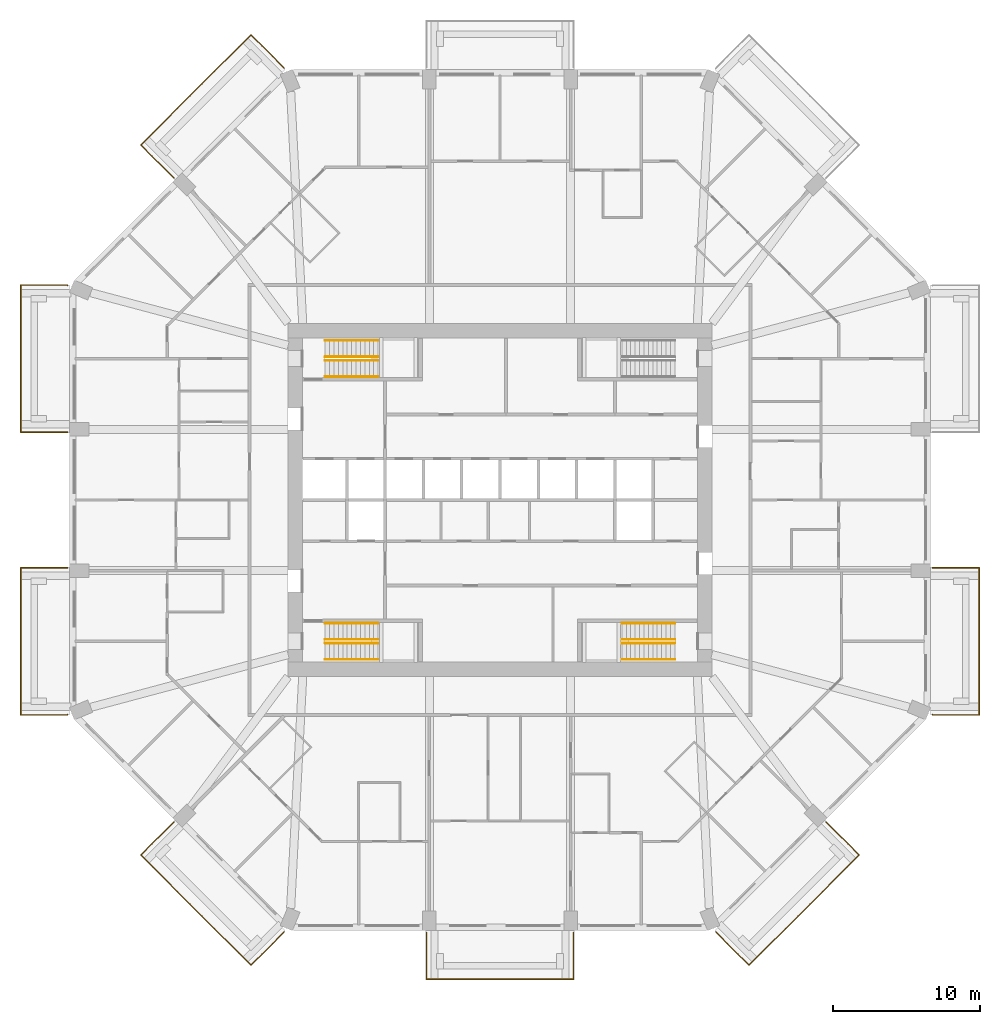
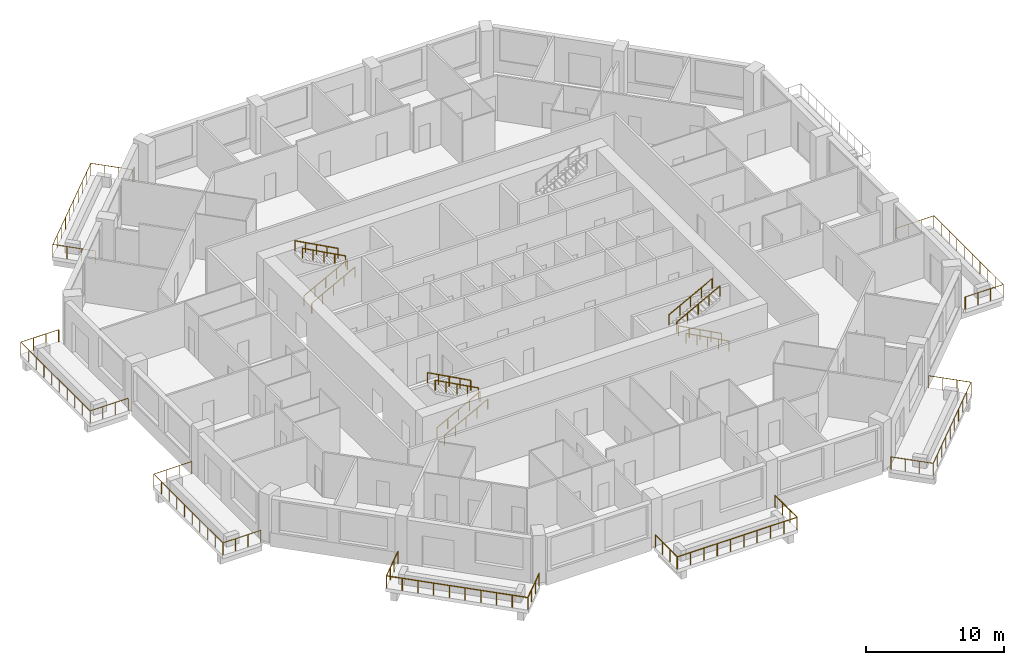
# One storey, part 12 of 13: 19 railings.
"""IFC4 building model written with IfcOpenShell, lengths in metres."""

from ifc_helpers import new_model, si_unit, direction, frame, origin, origin_2d, place, context, subcontext, project, spatial, circle, extrude, material, constituent, constituent_set, type_object, element, save


model = new_model("IFC4")

# Units and contexts
model_context = context("Model", 3, precision=1e-05, world=origin(), true_north=direction((0.0, 1.0)))
body_context = subcontext(model_context, "Body", "Model", "MODEL_VIEW")
ifc_project = project(units=[si_unit("LENGTHUNIT", "METRE"), si_unit("AREAUNIT", "SQUARE_METRE"), si_unit("VOLUMEUNIT", "CUBIC_METRE"), si_unit("PLANEANGLEUNIT", "RADIAN"), si_unit("MASSUNIT", "GRAM", prefix="KILO")], contexts=[model_context])

# Site, building, storey
site_placement = place(None, origin())
site = spatial("IfcSite", under=ifc_project, at=site_placement, CompositionType="ELEMENT")
building_placement = place(site_placement, origin())
building = spatial("IfcBuilding", under=site, at=building_placement, Name="Msitu Wima Residences", CompositionType="ELEMENT")
storey_placement = place(building_placement, frame((0.0, 0.0, 67.5)))
storey = spatial("IfcBuildingStorey", under=building, at=storey_placement, Name="L15", CompositionType="ELEMENT", Elevation=67.5)

# Railings
ifc_material_1 = material(Name="Steel S355", Category="steel")
ifc_constituent_1 = constituent(ifc_material_1, Name="Steel S355")
ifc_material_2 = material(Name="Weathering patina")
ifc_constituent_2 = constituent(ifc_material_2, Name="Weathering patina")
ifc_constituent_set_1 = constituent_set(constituents=[ifc_constituent_1, ifc_constituent_2], Name="Steel S355")
railing_type_1 = type_object("IfcRailingType", Name="Balcony guard GR1100", PredefinedType="GUARDRAIL", material=ifc_constituent_set_1)
railing_1_placement = place(storey_placement, frame((29.3798828125, -4.60009765625, 0.0)))
element("IfcRailing", 1, at=railing_1_placement, inside=storey, type_object=railing_type_1, Name="Balcony guard E0 L15", PredefinedType="GUARDRAIL", context=body_context, shape_type="SweptSolid", body=[
    extrude(circle(Radius=0.02392578125, at=origin_2d()), frame((0.0, 0.0, 1.076171875), z_axis=(1.0, 0.0, 0.0), x_axis=(0.0, 1.0, 0.0)), (0.0, 0.0, 1.0), 3.170166015625),
    extrude(circle(Radius=0.02392578125, at=origin_2d()), frame((3.170166015625, 0.0, 1.076171875), z_axis=(0.0, -1.0, 0.0), x_axis=(1.0, 0.0, 0.0)), (0.0, 0.0, 1.0), 10.0),
    extrude(circle(Radius=0.02392578125, at=origin_2d()), frame((3.170166015625, -10.0, 1.076171875), z_axis=(-1.0, 0.0, 0.0), x_axis=(0.0, -1.0, 0.0)), (0.0, 0.0, 1.0), 3.136474609375),
    extrude(circle(Radius=0.02392578125, at=origin_2d()), frame((0.03369140625, -10.0, 1.076171875), z_axis=(-0.92426142649, 0.38176015442, 0.0), x_axis=(-0.38176015442, -0.92426142649, 0.0)), (0.0, 0.0, 1.0), 0.036376953125),
    extrude(circle(Radius=0.02099609375, at=origin_2d()), origin(), (0.0, 0.0, 1.0), 1.052001953125),
    extrude(circle(Radius=0.02099609375, at=origin_2d()), frame((1.056640625, 0.0, 0.0)), (0.0, 0.0, 1.0), 1.052001953125),
    extrude(circle(Radius=0.02099609375, at=origin_2d()), frame((2.113525390625, 0.0, 0.0)), (0.0, 0.0, 1.0), 1.052001953125),
    extrude(circle(Radius=0.02099609375, at=origin_2d()), frame((3.170166015625, 0.0, 0.0)), (0.0, 0.0, 1.0), 1.052001953125),
    extrude(circle(Radius=0.02099609375, at=origin_2d()), frame((3.170166015625, -1.111083984375, 0.0)), (0.0, 0.0, 1.0), 1.052001953125),
    extrude(circle(Radius=0.02099609375, at=origin_2d()), frame((3.170166015625, -2.22216796875, 0.0)), (0.0, 0.0, 1.0), 1.052001953125),
    extrude(circle(Radius=0.02099609375, at=origin_2d()), frame((3.170166015625, -3.333251953125, 0.0)), (0.0, 0.0, 1.0), 1.052001953125),
    extrude(circle(Radius=0.02099609375, at=origin_2d()), frame((3.170166015625, -4.4443359375, 0.0)), (0.0, 0.0, 1.0), 1.052001953125),
    extrude(circle(Radius=0.02099609375, at=origin_2d()), frame((3.170166015625, -5.5556640625, 0.0)), (0.0, 0.0, 1.0), 1.052001953125),
    extrude(circle(Radius=0.02099609375, at=origin_2d()), frame((3.170166015625, -6.666748046875, 0.0)), (0.0, 0.0, 1.0), 1.052001953125),
    extrude(circle(Radius=0.02099609375, at=origin_2d()), frame((3.170166015625, -7.77783203125, 0.0)), (0.0, 0.0, 1.0), 1.052001953125),
    extrude(circle(Radius=0.02099609375, at=origin_2d()), frame((3.170166015625, -8.888916015625, 0.0)), (0.0, 0.0, 1.0), 1.052001953125),
    extrude(circle(Radius=0.02099609375, at=origin_2d()), frame((3.170166015625, -10.0, 0.0)), (0.0, 0.0, 1.0), 1.052001953125),
    extrude(circle(Radius=0.02099609375, at=origin_2d()), frame((2.124755859375, -10.0, 0.0)), (0.0, 0.0, 1.0), 1.052001953125),
    extrude(circle(Radius=0.02099609375, at=origin_2d()), frame((1.0791015625, -10.0, 0.0)), (0.0, 0.0, 1.0), 1.052001953125),
    extrude(circle(Radius=0.02099609375, at=origin_2d()), frame((0.03369140625, -10.0, 0.0)), (0.0, 0.0, 1.0), 1.052001953125),
    extrude(circle(Radius=0.02099609375, at=origin_2d()), frame((0.0, -9.986083984375, 0.0)), (0.0, 0.0, 1.0), 1.052001953125),
])
railing_2_placement = place(storey_placement, frame((-22.151611328125, 21.86865234375, 0.0)))
element("IfcRailing", 2, at=railing_2_placement, inside=storey, type_object=railing_type_1, Name="Balcony guard NW0 L15", PredefinedType="GUARDRAIL", context=body_context, shape_type="SweptSolid", body=[
    extrude(circle(Radius=0.02392578125, at=origin_2d()), frame((0.0, 0.0, 1.076171875), z_axis=(-0.707068272989, 0.707145287287, 0.0), x_axis=(-0.707145287287, -0.707068272989, 0.0)), (0.0, 0.0, 1.0), 3.170166015625),
    extrude(circle(Radius=0.02392578125, at=origin_2d()), frame((-2.241455078125, 2.24169921875, 1.076171875), z_axis=(0.707118316465, 0.70709524572, 0.0), x_axis=(-0.70709524572, 0.707118316465, 0.0)), (0.0, 0.0, 1.0), 10.582275390625),
    extrude(circle(Radius=0.02392578125, at=origin_2d()), frame((5.241455078125, 9.724365234375, 1.076171875), z_axis=(0.707106781187, -0.707106781187, 0.0), x_axis=(0.707106781187, 0.707106781187, 0.0)), (0.0, 0.0, 1.0), 3.136474609375),
    extrude(circle(Radius=0.02392578125, at=origin_2d()), frame((7.459228515625, 7.506591796875, 1.076171875), z_axis=(0.384136806859, -0.923276184907, 0.0), x_axis=(0.923276184907, 0.384136806859, 0.0)), (0.0, 0.0, 1.0), 0.0361328125),
    extrude(circle(Radius=0.02099609375, at=origin_2d()), origin(), (0.0, 0.0, 1.0), 1.052001953125),
    extrude(circle(Radius=0.02099609375, at=origin_2d()), frame((-0.7470703125, 0.747314453125, 0.0)), (0.0, 0.0, 1.0), 1.052001953125),
    extrude(circle(Radius=0.02099609375, at=origin_2d()), frame((-1.494384765625, 1.494384765625, 0.0)), (0.0, 0.0, 1.0), 1.052001953125),
    extrude(circle(Radius=0.02099609375, at=origin_2d()), frame((-2.241455078125, 2.24169921875, 0.0)), (0.0, 0.0, 1.0), 1.052001953125),
    extrude(circle(Radius=0.02099609375, at=origin_2d()), frame((-1.409912109375, 3.072998046875, 0.0)), (0.0, 0.0, 1.0), 1.052001953125),
    extrude(circle(Radius=0.02099609375, at=origin_2d()), frame((-0.57861328125, 3.904541015625, 0.0)), (0.0, 0.0, 1.0), 1.052001953125),
    extrude(circle(Radius=0.02099609375, at=origin_2d()), frame((0.2529296875, 4.73583984375, 0.0)), (0.0, 0.0, 1.0), 1.052001953125),
    extrude(circle(Radius=0.02099609375, at=origin_2d()), frame((1.084228515625, 5.5673828125, 0.0)), (0.0, 0.0, 1.0), 1.052001953125),
    extrude(circle(Radius=0.02099609375, at=origin_2d()), frame((1.915771484375, 6.398681640625, 0.0)), (0.0, 0.0, 1.0), 1.052001953125),
    extrude(circle(Radius=0.02099609375, at=origin_2d()), frame((2.7470703125, 7.230224609375, 0.0)), (0.0, 0.0, 1.0), 1.052001953125),
    extrude(circle(Radius=0.02099609375, at=origin_2d()), frame((3.57861328125, 8.0615234375, 0.0)), (0.0, 0.0, 1.0), 1.052001953125),
    extrude(circle(Radius=0.02099609375, at=origin_2d()), frame((4.409912109375, 8.89306640625, 0.0)), (0.0, 0.0, 1.0), 1.052001953125),
    extrude(circle(Radius=0.02099609375, at=origin_2d()), frame((5.241455078125, 9.724365234375, 0.0)), (0.0, 0.0, 1.0), 1.052001953125),
    extrude(circle(Radius=0.02099609375, at=origin_2d()), frame((5.980712890625, 8.985107421875, 0.0)), (0.0, 0.0, 1.0), 1.052001953125),
    extrude(circle(Radius=0.02099609375, at=origin_2d()), frame((6.719970703125, 8.245849609375, 0.0)), (0.0, 0.0, 1.0), 1.052001953125),
    extrude(circle(Radius=0.02099609375, at=origin_2d()), frame((7.459228515625, 7.506591796875, 0.0)), (0.0, 0.0, 1.0), 1.052001953125),
    extrude(circle(Radius=0.02099609375, at=origin_2d()), frame((7.47314453125, 7.47314453125, 0.0)), (0.0, 0.0, 1.0), 1.052001953125),
])
railing_3_placement = place(storey_placement, frame((-29.3798828125, 4.60009765625, 0.0)))
element("IfcRailing", 3, at=railing_3_placement, inside=storey, type_object=railing_type_1, Name="Balcony guard W0 L15", PredefinedType="GUARDRAIL", context=body_context, shape_type="SweptSolid", body=[
    extrude(circle(Radius=0.02392578125, at=origin_2d()), frame((0.0, 0.0, 1.076171875), z_axis=(-1.0, 0.0, 0.0), x_axis=(0.0, -1.0, 0.0)), (0.0, 0.0, 1.0), 3.170166015625),
    extrude(circle(Radius=0.02392578125, at=origin_2d()), frame((-3.170166015625, 0.0, 1.076171875), z_axis=(0.0, 1.0, 0.0), x_axis=(-1.0, 0.0, 0.0)), (0.0, 0.0, 1.0), 10.0),
    extrude(circle(Radius=0.02392578125, at=origin_2d()), frame((-3.170166015625, 10.0, 1.076171875), z_axis=(1.0, 0.0, 0.0), x_axis=(0.0, 1.0, 0.0)), (0.0, 0.0, 1.0), 3.136474609375),
    extrude(circle(Radius=0.02392578125, at=origin_2d()), frame((-0.03369140625, 10.0, 1.076171875), z_axis=(0.92426142649, -0.38176015442, 0.0), x_axis=(0.38176015442, 0.92426142649, 0.0)), (0.0, 0.0, 1.0), 0.036376953125),
    extrude(circle(Radius=0.02099609375, at=origin_2d()), origin(), (0.0, 0.0, 1.0), 1.052001953125),
    extrude(circle(Radius=0.02099609375, at=origin_2d()), frame((-1.056640625, 0.0, 0.0)), (0.0, 0.0, 1.0), 1.052001953125),
    extrude(circle(Radius=0.02099609375, at=origin_2d()), frame((-2.113525390625, 0.0, 0.0)), (0.0, 0.0, 1.0), 1.052001953125),
    extrude(circle(Radius=0.02099609375, at=origin_2d()), frame((-3.170166015625, 0.0, 0.0)), (0.0, 0.0, 1.0), 1.052001953125),
    extrude(circle(Radius=0.02099609375, at=origin_2d()), frame((-3.170166015625, 1.111083984375, 0.0)), (0.0, 0.0, 1.0), 1.052001953125),
    extrude(circle(Radius=0.02099609375, at=origin_2d()), frame((-3.170166015625, 2.22216796875, 0.0)), (0.0, 0.0, 1.0), 1.052001953125),
    extrude(circle(Radius=0.02099609375, at=origin_2d()), frame((-3.170166015625, 3.333251953125, 0.0)), (0.0, 0.0, 1.0), 1.052001953125),
    extrude(circle(Radius=0.02099609375, at=origin_2d()), frame((-3.170166015625, 4.4443359375, 0.0)), (0.0, 0.0, 1.0), 1.052001953125),
    extrude(circle(Radius=0.02099609375, at=origin_2d()), frame((-3.170166015625, 5.5556640625, 0.0)), (0.0, 0.0, 1.0), 1.052001953125),
    extrude(circle(Radius=0.02099609375, at=origin_2d()), frame((-3.170166015625, 6.666748046875, 0.0)), (0.0, 0.0, 1.0), 1.052001953125),
    extrude(circle(Radius=0.02099609375, at=origin_2d()), frame((-3.170166015625, 7.77783203125, 0.0)), (0.0, 0.0, 1.0), 1.052001953125),
    extrude(circle(Radius=0.02099609375, at=origin_2d()), frame((-3.170166015625, 8.888916015625, 0.0)), (0.0, 0.0, 1.0), 1.052001953125),
    extrude(circle(Radius=0.02099609375, at=origin_2d()), frame((-3.170166015625, 10.0, 0.0)), (0.0, 0.0, 1.0), 1.052001953125),
    extrude(circle(Radius=0.02099609375, at=origin_2d()), frame((-2.124755859375, 10.0, 0.0)), (0.0, 0.0, 1.0), 1.052001953125),
    extrude(circle(Radius=0.02099609375, at=origin_2d()), frame((-1.0791015625, 10.0, 0.0)), (0.0, 0.0, 1.0), 1.052001953125),
    extrude(circle(Radius=0.02099609375, at=origin_2d()), frame((-0.03369140625, 10.0, 0.0)), (0.0, 0.0, 1.0), 1.052001953125),
    extrude(circle(Radius=0.02099609375, at=origin_2d()), frame((0.0, 9.986083984375, 0.0)), (0.0, 0.0, 1.0), 1.052001953125),
])
railing_4_placement = place(storey_placement, frame((-29.3798828125, -14.586181640625, 0.0)))
element("IfcRailing", 4, at=railing_4_placement, inside=storey, type_object=railing_type_1, Name="Balcony guard W2 L15", PredefinedType="GUARDRAIL", context=body_context, shape_type="SweptSolid", body=[
    extrude(circle(Radius=0.02392578125, at=origin_2d()), frame((0.0, 0.0, 1.076171875), z_axis=(-0.92426142649, -0.38176015442, 0.0), x_axis=(0.38176015442, -0.92426142649, 0.0)), (0.0, 0.0, 1.0), 0.036376953125),
    extrude(circle(Radius=0.02392578125, at=origin_2d()), frame((-0.03369140625, -0.013916015625, 1.076171875), z_axis=(-1.0, 0.0, 0.0), x_axis=(0.0, -1.0, 0.0)), (0.0, 0.0, 1.0), 3.136474609375),
    extrude(circle(Radius=0.02392578125, at=origin_2d()), frame((-3.170166015625, -0.013916015625, 1.076171875), z_axis=(0.0, 1.0, 0.0), x_axis=(-1.0, 0.0, 0.0)), (0.0, 0.0, 1.0), 10.0),
    extrude(circle(Radius=0.02392578125, at=origin_2d()), frame((-3.170166015625, 9.986083984375, 1.076171875), z_axis=(1.0, 0.0, 0.0), x_axis=(0.0, 1.0, 0.0)), (0.0, 0.0, 1.0), 3.170166015625),
    extrude(circle(Radius=0.02099609375, at=origin_2d()), origin(), (0.0, 0.0, 1.0), 1.052001953125),
    extrude(circle(Radius=0.02099609375, at=origin_2d()), frame((-0.03369140625, -0.013916015625, 0.0)), (0.0, 0.0, 1.0), 1.052001953125),
    extrude(circle(Radius=0.02099609375, at=origin_2d()), frame((-1.0791015625, -0.013916015625, 0.0)), (0.0, 0.0, 1.0), 1.052001953125),
    extrude(circle(Radius=0.02099609375, at=origin_2d()), frame((-2.124755859375, -0.013916015625, 0.0)), (0.0, 0.0, 1.0), 1.052001953125),
    extrude(circle(Radius=0.02099609375, at=origin_2d()), frame((-3.170166015625, -0.013916015625, 0.0)), (0.0, 0.0, 1.0), 1.052001953125),
    extrude(circle(Radius=0.02099609375, at=origin_2d()), frame((-3.170166015625, 1.09716796875, 0.0)), (0.0, 0.0, 1.0), 1.052001953125),
    extrude(circle(Radius=0.02099609375, at=origin_2d()), frame((-3.170166015625, 2.208251953125, 0.0)), (0.0, 0.0, 1.0), 1.052001953125),
    extrude(circle(Radius=0.02099609375, at=origin_2d()), frame((-3.170166015625, 3.3193359375, 0.0)), (0.0, 0.0, 1.0), 1.052001953125),
    extrude(circle(Radius=0.02099609375, at=origin_2d()), frame((-3.170166015625, 4.430419921875, 0.0)), (0.0, 0.0, 1.0), 1.052001953125),
    extrude(circle(Radius=0.02099609375, at=origin_2d()), frame((-3.170166015625, 5.541748046875, 0.0)), (0.0, 0.0, 1.0), 1.052001953125),
    extrude(circle(Radius=0.02099609375, at=origin_2d()), frame((-3.170166015625, 6.65283203125, 0.0)), (0.0, 0.0, 1.0), 1.052001953125),
    extrude(circle(Radius=0.02099609375, at=origin_2d()), frame((-3.170166015625, 7.763916015625, 0.0)), (0.0, 0.0, 1.0), 1.052001953125),
    extrude(circle(Radius=0.02099609375, at=origin_2d()), frame((-3.170166015625, 8.875, 0.0)), (0.0, 0.0, 1.0), 1.052001953125),
    extrude(circle(Radius=0.02099609375, at=origin_2d()), frame((-3.170166015625, 9.986083984375, 0.0)), (0.0, 0.0, 1.0), 1.052001953125),
    extrude(circle(Radius=0.02099609375, at=origin_2d()), frame((-2.113525390625, 9.986083984375, 0.0)), (0.0, 0.0, 1.0), 1.052001953125),
    extrude(circle(Radius=0.02099609375, at=origin_2d()), frame((-1.056640625, 9.986083984375, 0.0)), (0.0, 0.0, 1.0), 1.052001953125),
    extrude(circle(Radius=0.02099609375, at=origin_2d()), frame((0.0, 9.986083984375, 0.0)), (0.0, 0.0, 1.0), 1.052001953125),
])
railing_5_placement = place(storey_placement, frame((-14.678466796875, -29.341796875, 0.0)))
element("IfcRailing", 5, at=railing_5_placement, inside=storey, type_object=railing_type_1, Name="Balcony guard SW1 L15", PredefinedType="GUARDRAIL", context=body_context, shape_type="SweptSolid", body=[
    extrude(circle(Radius=0.02392578125, at=origin_2d()), frame((0.0, 0.0, 1.076171875), z_axis=(-0.384136806859, -0.923276184907, 0.0), x_axis=(0.923276184907, -0.384136806859, 0.0)), (0.0, 0.0, 1.0), 0.0361328125),
    extrude(circle(Radius=0.02392578125, at=origin_2d()), frame((-0.013916015625, -0.033447265625, 1.076171875), z_axis=(-0.707106781187, -0.707106781187, 0.0), x_axis=(0.707106781187, -0.707106781187, 0.0)), (0.0, 0.0, 1.0), 3.136474609375),
    extrude(circle(Radius=0.02392578125, at=origin_2d()), frame((-2.231689453125, -2.251220703125, 1.076171875), z_axis=(-0.707118316465, 0.70709524572, 0.0), x_axis=(-0.70709524572, -0.707118316465, 0.0)), (0.0, 0.0, 1.0), 10.582275390625),
    extrude(circle(Radius=0.02392578125, at=origin_2d()), frame((-9.714599609375, 5.2314453125, 1.076171875), z_axis=(0.707068272989, 0.707145287287, 0.0), x_axis=(-0.707145287287, 0.707068272989, 0.0)), (0.0, 0.0, 1.0), 3.170166015625),
    extrude(circle(Radius=0.02099609375, at=origin_2d()), origin(), (0.0, 0.0, 1.0), 1.052001953125),
    extrude(circle(Radius=0.02099609375, at=origin_2d()), frame((-0.013916015625, -0.033447265625, 0.0)), (0.0, 0.0, 1.0), 1.052001953125),
    extrude(circle(Radius=0.02099609375, at=origin_2d()), frame((-0.753173828125, -0.772705078125, 0.0)), (0.0, 0.0, 1.0), 1.052001953125),
    extrude(circle(Radius=0.02099609375, at=origin_2d()), frame((-1.492431640625, -1.511962890625, 0.0)), (0.0, 0.0, 1.0), 1.052001953125),
    extrude(circle(Radius=0.02099609375, at=origin_2d()), frame((-2.231689453125, -2.251220703125, 0.0)), (0.0, 0.0, 1.0), 1.052001953125),
    extrude(circle(Radius=0.02099609375, at=origin_2d()), frame((-3.063232421875, -1.419921875, 0.0)), (0.0, 0.0, 1.0), 1.052001953125),
    extrude(circle(Radius=0.02099609375, at=origin_2d()), frame((-3.89453125, -0.58837890625, 0.0)), (0.0, 0.0, 1.0), 1.052001953125),
    extrude(circle(Radius=0.02099609375, at=origin_2d()), frame((-4.72607421875, 0.242919921875, 0.0)), (0.0, 0.0, 1.0), 1.052001953125),
    extrude(circle(Radius=0.02099609375, at=origin_2d()), frame((-5.557373046875, 1.074462890625, 0.0)), (0.0, 0.0, 1.0), 1.052001953125),
    extrude(circle(Radius=0.02099609375, at=origin_2d()), frame((-6.388916015625, 1.90576171875, 0.0)), (0.0, 0.0, 1.0), 1.052001953125),
    extrude(circle(Radius=0.02099609375, at=origin_2d()), frame((-7.22021484375, 2.7373046875, 0.0)), (0.0, 0.0, 1.0), 1.052001953125),
    extrude(circle(Radius=0.02099609375, at=origin_2d()), frame((-8.0517578125, 3.568603515625, 0.0)), (0.0, 0.0, 1.0), 1.052001953125),
    extrude(circle(Radius=0.02099609375, at=origin_2d()), frame((-8.883056640625, 4.400146484375, 0.0)), (0.0, 0.0, 1.0), 1.052001953125),
    extrude(circle(Radius=0.02099609375, at=origin_2d()), frame((-9.714599609375, 5.2314453125, 0.0)), (0.0, 0.0, 1.0), 1.052001953125),
    extrude(circle(Radius=0.02099609375, at=origin_2d()), frame((-8.967529296875, 5.978759765625, 0.0)), (0.0, 0.0, 1.0), 1.052001953125),
    extrude(circle(Radius=0.02099609375, at=origin_2d()), frame((-8.22021484375, 6.725830078125, 0.0)), (0.0, 0.0, 1.0), 1.052001953125),
    extrude(circle(Radius=0.02099609375, at=origin_2d()), frame((-7.47314453125, 7.47314453125, 0.0)), (0.0, 0.0, 1.0), 1.052001953125),
])
railing_6_placement = place(storey_placement, frame((5.0, -29.3798828125, 0.0)))
element("IfcRailing", 6, at=railing_6_placement, inside=storey, type_object=railing_type_1, Name="Balcony guard S1 L15", PredefinedType="GUARDRAIL", context=body_context, shape_type="SweptSolid", body=[
    extrude(circle(Radius=0.02392578125, at=origin_2d()), frame((0.0, 0.0, 1.076171875), z_axis=(0.0, -1.0, 0.0), x_axis=(1.0, 0.0, 0.0)), (0.0, 0.0, 1.0), 3.170166015625),
    extrude(circle(Radius=0.02392578125, at=origin_2d()), frame((0.0, -3.170166015625, 1.076171875), z_axis=(-1.0, 0.0, 0.0), x_axis=(0.0, -1.0, 0.0)), (0.0, 0.0, 1.0), 10.0),
    extrude(circle(Radius=0.02392578125, at=origin_2d()), frame((-10.0, -3.170166015625, 1.076171875), z_axis=(0.0, 1.0, 0.0), x_axis=(-1.0, 0.0, 0.0)), (0.0, 0.0, 1.0), 3.170166015625),
    extrude(circle(Radius=0.02099609375, at=origin_2d()), origin(), (0.0, 0.0, 1.0), 1.052001953125),
    extrude(circle(Radius=0.02099609375, at=origin_2d()), frame((0.0, -1.056640625, 0.0)), (0.0, 0.0, 1.0), 1.052001953125),
    extrude(circle(Radius=0.02099609375, at=origin_2d()), frame((0.0, -2.113525390625, 0.0)), (0.0, 0.0, 1.0), 1.052001953125),
    extrude(circle(Radius=0.02099609375, at=origin_2d()), frame((0.0, -3.170166015625, 0.0)), (0.0, 0.0, 1.0), 1.052001953125),
    extrude(circle(Radius=0.02099609375, at=origin_2d()), frame((-1.111083984375, -3.170166015625, 0.0)), (0.0, 0.0, 1.0), 1.052001953125),
    extrude(circle(Radius=0.02099609375, at=origin_2d()), frame((-2.22216796875, -3.170166015625, 0.0)), (0.0, 0.0, 1.0), 1.052001953125),
    extrude(circle(Radius=0.02099609375, at=origin_2d()), frame((-3.333251953125, -3.170166015625, 0.0)), (0.0, 0.0, 1.0), 1.052001953125),
    extrude(circle(Radius=0.02099609375, at=origin_2d()), frame((-4.4443359375, -3.170166015625, 0.0)), (0.0, 0.0, 1.0), 1.052001953125),
    extrude(circle(Radius=0.02099609375, at=origin_2d()), frame((-5.5556640625, -3.170166015625, 0.0)), (0.0, 0.0, 1.0), 1.052001953125),
    extrude(circle(Radius=0.02099609375, at=origin_2d()), frame((-6.666748046875, -3.170166015625, 0.0)), (0.0, 0.0, 1.0), 1.052001953125),
    extrude(circle(Radius=0.02099609375, at=origin_2d()), frame((-7.77783203125, -3.170166015625, 0.0)), (0.0, 0.0, 1.0), 1.052001953125),
    extrude(circle(Radius=0.02099609375, at=origin_2d()), frame((-8.888916015625, -3.170166015625, 0.0)), (0.0, 0.0, 1.0), 1.052001953125),
    extrude(circle(Radius=0.02099609375, at=origin_2d()), frame((-10.0, -3.170166015625, 0.0)), (0.0, 0.0, 1.0), 1.052001953125),
    extrude(circle(Radius=0.02099609375, at=origin_2d()), frame((-10.0, -2.113525390625, 0.0)), (0.0, 0.0, 1.0), 1.052001953125),
    extrude(circle(Radius=0.02099609375, at=origin_2d()), frame((-10.0, -1.056640625, 0.0)), (0.0, 0.0, 1.0), 1.052001953125),
    extrude(circle(Radius=0.02099609375, at=origin_2d()), frame((-10.0, 0.0, 0.0)), (0.0, 0.0, 1.0), 1.052001953125),
])
railing_7_placement = place(storey_placement, frame((22.151611328125, -21.86865234375, 0.0)))
element("IfcRailing", 7, at=railing_7_placement, inside=storey, type_object=railing_type_1, Name="Balcony guard SE0 L15", PredefinedType="GUARDRAIL", context=body_context, shape_type="SweptSolid", body=[
    extrude(circle(Radius=0.02392578125, at=origin_2d()), frame((0.0, 0.0, 1.076171875), z_axis=(0.707068272989, -0.707145287287, 0.0), x_axis=(0.707145287287, 0.707068272989, 0.0)), (0.0, 0.0, 1.0), 3.170166015625),
    extrude(circle(Radius=0.02392578125, at=origin_2d()), frame((2.241455078125, -2.24169921875, 1.076171875), z_axis=(-0.707118316465, -0.70709524572, 0.0), x_axis=(0.70709524572, -0.707118316465, 0.0)), (0.0, 0.0, 1.0), 10.582275390625),
    extrude(circle(Radius=0.02392578125, at=origin_2d()), frame((-5.241455078125, -9.724365234375, 1.076171875), z_axis=(-0.707106781187, 0.707106781187, 0.0), x_axis=(-0.707106781187, -0.707106781187, 0.0)), (0.0, 0.0, 1.0), 3.136474609375),
    extrude(circle(Radius=0.02392578125, at=origin_2d()), frame((-7.459228515625, -7.506591796875, 1.076171875), z_axis=(-0.384136806859, 0.923276184907, 0.0), x_axis=(-0.923276184907, -0.384136806859, 0.0)), (0.0, 0.0, 1.0), 0.0361328125),
    extrude(circle(Radius=0.02099609375, at=origin_2d()), origin(), (0.0, 0.0, 1.0), 1.052001953125),
    extrude(circle(Radius=0.02099609375, at=origin_2d()), frame((0.7470703125, -0.747314453125, 0.0)), (0.0, 0.0, 1.0), 1.052001953125),
    extrude(circle(Radius=0.02099609375, at=origin_2d()), frame((1.494384765625, -1.494384765625, 0.0)), (0.0, 0.0, 1.0), 1.052001953125),
    extrude(circle(Radius=0.02099609375, at=origin_2d()), frame((2.241455078125, -2.24169921875, 0.0)), (0.0, 0.0, 1.0), 1.052001953125),
    extrude(circle(Radius=0.02099609375, at=origin_2d()), frame((1.409912109375, -3.072998046875, 0.0)), (0.0, 0.0, 1.0), 1.052001953125),
    extrude(circle(Radius=0.02099609375, at=origin_2d()), frame((0.57861328125, -3.904541015625, 0.0)), (0.0, 0.0, 1.0), 1.052001953125),
    extrude(circle(Radius=0.02099609375, at=origin_2d()), frame((-0.2529296875, -4.73583984375, 0.0)), (0.0, 0.0, 1.0), 1.052001953125),
    extrude(circle(Radius=0.02099609375, at=origin_2d()), frame((-1.084228515625, -5.5673828125, 0.0)), (0.0, 0.0, 1.0), 1.052001953125),
    extrude(circle(Radius=0.02099609375, at=origin_2d()), frame((-1.915771484375, -6.398681640625, 0.0)), (0.0, 0.0, 1.0), 1.052001953125),
    extrude(circle(Radius=0.02099609375, at=origin_2d()), frame((-2.7470703125, -7.230224609375, 0.0)), (0.0, 0.0, 1.0), 1.052001953125),
    extrude(circle(Radius=0.02099609375, at=origin_2d()), frame((-3.57861328125, -8.0615234375, 0.0)), (0.0, 0.0, 1.0), 1.052001953125),
    extrude(circle(Radius=0.02099609375, at=origin_2d()), frame((-4.409912109375, -8.89306640625, 0.0)), (0.0, 0.0, 1.0), 1.052001953125),
    extrude(circle(Radius=0.02099609375, at=origin_2d()), frame((-5.241455078125, -9.724365234375, 0.0)), (0.0, 0.0, 1.0), 1.052001953125),
    extrude(circle(Radius=0.02099609375, at=origin_2d()), frame((-5.980712890625, -8.985107421875, 0.0)), (0.0, 0.0, 1.0), 1.052001953125),
    extrude(circle(Radius=0.02099609375, at=origin_2d()), frame((-6.719970703125, -8.245849609375, 0.0)), (0.0, 0.0, 1.0), 1.052001953125),
    extrude(circle(Radius=0.02099609375, at=origin_2d()), frame((-7.459228515625, -7.506591796875, 0.0)), (0.0, 0.0, 1.0), 1.052001953125),
    extrude(circle(Radius=0.02099609375, at=origin_2d()), frame((-7.47314453125, -7.47314453125, 0.0)), (0.0, 0.0, 1.0), 1.052001953125),
])
ifc_constituent_3 = constituent(ifc_material_1, Name="Steel S355")
ifc_material_3 = material(Name="Black powder coating")
ifc_constituent_4 = constituent(ifc_material_3, Name="Black powder coating")
ifc_constituent_set_2 = constituent_set(constituents=[ifc_constituent_3, ifc_constituent_4], Name="Steel S355")
railing_type_2 = type_object("IfcRailingType", Name="Stair handrail HR1", PredefinedType="HANDRAIL", material=ifc_constituent_set_2)
for number, where, name in (
    (8, (-11.875, 8.375, 0.16162109375), "Stair 1 handrail"),
    (9, (-11.875, 9.47509765625, 0.16162109375), "Stair 1 handrail"),
):
    element("IfcRailing", number, at=place(storey_placement, frame(where)), inside=storey, type_object=railing_type_2, Name=name, PredefinedType="HANDRAIL", context=body_context, shape_type="SweptSolid", body=[
        extrude(circle(Radius=0.02392578125, at=origin_2d()), frame((0.0, 0.0, 0.8759765625), z_axis=(0.880474934443, 0.0, 0.474092701714), x_axis=(0.0, 1.0, 0.0)), (0.0, 0.0, 1.0), 4.0888671875),
        extrude(circle(Radius=0.02099609375, at=origin_2d()), origin(), (0.0, 0.0, 1.0), 0.851806640625),
        extrude(circle(Radius=0.02099609375, at=origin_2d()), frame((0.89990234375, 0.0, 0.484619140625)), (0.0, 0.0, 1.0), 0.851806640625),
        extrude(circle(Radius=0.02099609375, at=origin_2d()), frame((1.800048828125, 0.0, 0.96923828125)), (0.0, 0.0, 1.0), 0.851806640625),
        extrude(circle(Radius=0.02099609375, at=origin_2d()), frame((2.7001953125, 0.0, 1.453857421875)), (0.0, 0.0, 1.0), 0.851806640625),
        extrude(circle(Radius=0.02099609375, at=origin_2d()), frame((3.60009765625, 0.0, 1.9384765625)), (0.0, 0.0, 1.0), 0.851806640625),
    ])
for number, where, name in (
    (10, (-8.27490234375, 9.72509765625, 2.261474609375), "Stair 1 handrail"),
    (11, (-8.27490234375, 10.824951171875, 2.261474609375), "Stair 1 handrail"),
):
    element("IfcRailing", number, at=place(storey_placement, frame(where)), inside=storey, type_object=railing_type_2, Name=name, PredefinedType="HANDRAIL", context=body_context, shape_type="SweptSolid", body=[
        extrude(circle(Radius=0.02392578125, at=origin_2d()), frame((0.0, 0.0, 0.8759765625), z_axis=(-0.880474934443, 0.0, 0.474092701714), x_axis=(0.0, -1.0, 0.0)), (0.0, 0.0, 1.0), 4.0888671875),
        extrude(circle(Radius=0.02099609375, at=origin_2d()), origin(), (0.0, 0.0, 1.0), 0.851806640625),
        extrude(circle(Radius=0.02099609375, at=origin_2d()), frame((-0.89990234375, 0.0, 0.484619140625)), (0.0, 0.0, 1.0), 0.851806640625),
        extrude(circle(Radius=0.02099609375, at=origin_2d()), frame((-1.800048828125, 0.0, 0.96923828125)), (0.0, 0.0, 1.0), 0.851806640625),
        extrude(circle(Radius=0.02099609375, at=origin_2d()), frame((-2.7001953125, 0.0, 1.453857421875)), (0.0, 0.0, 1.0), 0.851806640625),
        extrude(circle(Radius=0.02099609375, at=origin_2d()), frame((-3.60009765625, 0.0, 1.9384765625)), (0.0, 0.0, 1.0), 0.851806640625),
    ])
for number, where, name in (
    (12, (-11.875, -10.824951171875, 0.16162109375), "Stair 2 handrail"),
    (13, (-11.875, -9.72509765625, 0.16162109375), "Stair 2 handrail"),
):
    element("IfcRailing", number, at=place(storey_placement, frame(where)), inside=storey, type_object=railing_type_2, Name=name, PredefinedType="HANDRAIL", context=body_context, shape_type="SweptSolid", body=[
        extrude(circle(Radius=0.02392578125, at=origin_2d()), frame((0.0, 0.0, 0.8759765625), z_axis=(0.880474934443, 0.0, 0.474092701714), x_axis=(0.0, 1.0, 0.0)), (0.0, 0.0, 1.0), 4.0888671875),
        extrude(circle(Radius=0.02099609375, at=origin_2d()), origin(), (0.0, 0.0, 1.0), 0.851806640625),
        extrude(circle(Radius=0.02099609375, at=origin_2d()), frame((0.89990234375, 0.0, 0.484619140625)), (0.0, 0.0, 1.0), 0.851806640625),
        extrude(circle(Radius=0.02099609375, at=origin_2d()), frame((1.800048828125, 0.0, 0.96923828125)), (0.0, 0.0, 1.0), 0.851806640625),
        extrude(circle(Radius=0.02099609375, at=origin_2d()), frame((2.7001953125, 0.0, 1.453857421875)), (0.0, 0.0, 1.0), 0.851806640625),
        extrude(circle(Radius=0.02099609375, at=origin_2d()), frame((3.60009765625, 0.0, 1.9384765625)), (0.0, 0.0, 1.0), 0.851806640625),
    ])
for number, where, name in (
    (14, (-8.27490234375, -9.47509765625, 2.261474609375), "Stair 2 handrail"),
    (15, (-8.27490234375, -8.375, 2.261474609375), "Stair 2 handrail"),
    (16, (11.875, -10.824951171875, 0.16162109375), "Stair 4 handrail"),
    (17, (11.875, -9.72509765625, 0.16162109375), "Stair 4 handrail"),
):
    element("IfcRailing", number, at=place(storey_placement, frame(where)), inside=storey, type_object=railing_type_2, Name=name, PredefinedType="HANDRAIL", context=body_context, shape_type="SweptSolid", body=[
        extrude(circle(Radius=0.02392578125, at=origin_2d()), frame((0.0, 0.0, 0.8759765625), z_axis=(-0.880474934443, 0.0, 0.474092701714), x_axis=(0.0, -1.0, 0.0)), (0.0, 0.0, 1.0), 4.0888671875),
        extrude(circle(Radius=0.02099609375, at=origin_2d()), origin(), (0.0, 0.0, 1.0), 0.851806640625),
        extrude(circle(Radius=0.02099609375, at=origin_2d()), frame((-0.89990234375, 0.0, 0.484619140625)), (0.0, 0.0, 1.0), 0.851806640625),
        extrude(circle(Radius=0.02099609375, at=origin_2d()), frame((-1.800048828125, 0.0, 0.96923828125)), (0.0, 0.0, 1.0), 0.851806640625),
        extrude(circle(Radius=0.02099609375, at=origin_2d()), frame((-2.7001953125, 0.0, 1.453857421875)), (0.0, 0.0, 1.0), 0.851806640625),
        extrude(circle(Radius=0.02099609375, at=origin_2d()), frame((-3.60009765625, 0.0, 1.9384765625)), (0.0, 0.0, 1.0), 0.851806640625),
    ])
for number, where, name in (
    (18, (8.27490234375, -9.47509765625, 2.261474609375), "Stair 4 handrail"),
    (19, (8.27490234375, -8.375, 2.261474609375), "Stair 4 handrail"),
):
    element("IfcRailing", number, at=place(storey_placement, frame(where)), inside=storey, type_object=railing_type_2, Name=name, PredefinedType="HANDRAIL", context=body_context, shape_type="SweptSolid", body=[
        extrude(circle(Radius=0.02392578125, at=origin_2d()), frame((0.0, 0.0, 0.8759765625), z_axis=(0.880474934443, 0.0, 0.474092701714), x_axis=(0.0, 1.0, 0.0)), (0.0, 0.0, 1.0), 4.0888671875),
        extrude(circle(Radius=0.02099609375, at=origin_2d()), origin(), (0.0, 0.0, 1.0), 0.851806640625),
        extrude(circle(Radius=0.02099609375, at=origin_2d()), frame((0.89990234375, 0.0, 0.484619140625)), (0.0, 0.0, 1.0), 0.851806640625),
        extrude(circle(Radius=0.02099609375, at=origin_2d()), frame((1.800048828125, 0.0, 0.96923828125)), (0.0, 0.0, 1.0), 0.851806640625),
        extrude(circle(Radius=0.02099609375, at=origin_2d()), frame((2.7001953125, 0.0, 1.453857421875)), (0.0, 0.0, 1.0), 0.851806640625),
        extrude(circle(Radius=0.02099609375, at=origin_2d()), frame((3.60009765625, 0.0, 1.9384765625)), (0.0, 0.0, 1.0), 0.851806640625),
    ])

save(model, "model.ifc")
